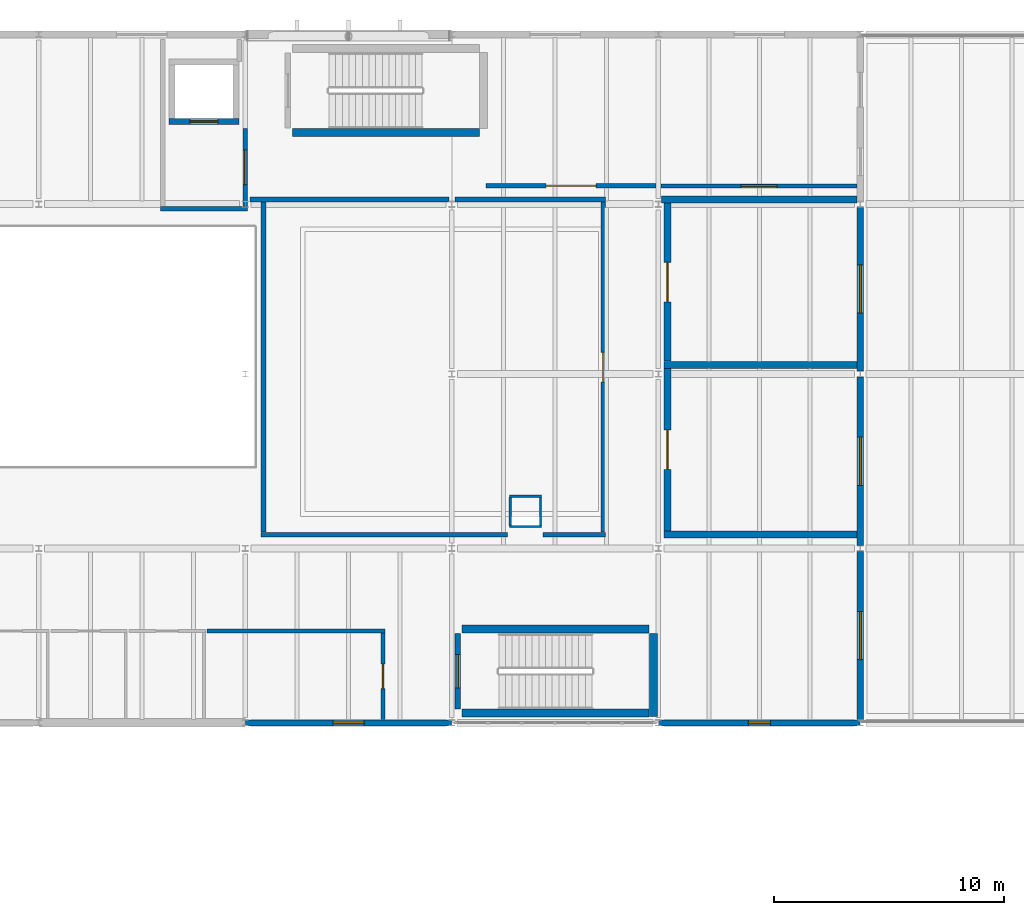
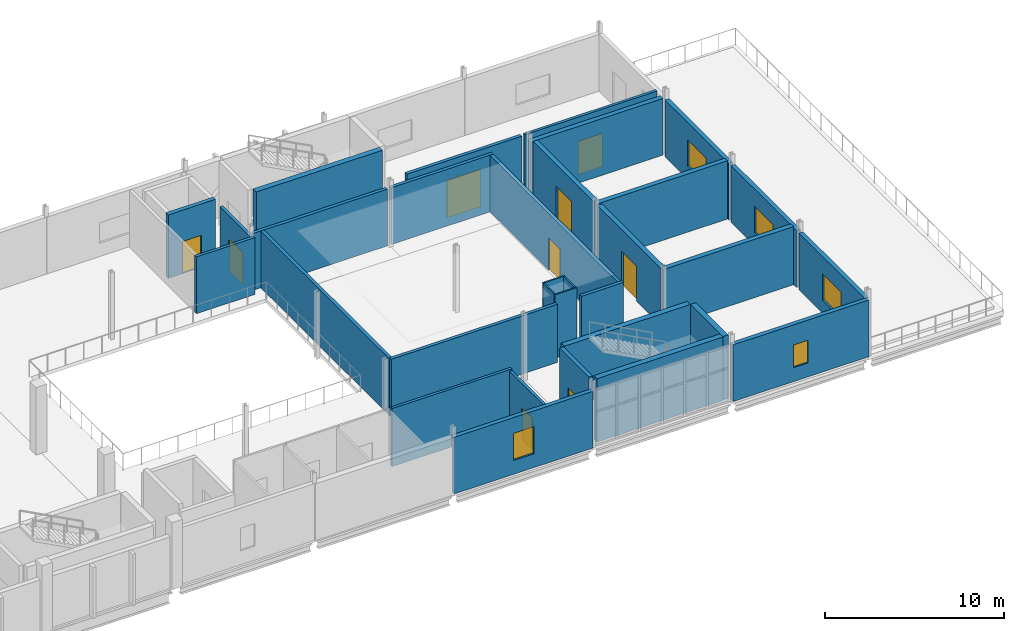
# One storey, part 31 of 37: 32 walls, 9 doors, 5 windows, 14 openings.
"""IFC4 building model written with IfcOpenShell, lengths in metres."""

from ifc_helpers import new_model, si_unit, direction, frame, frame_2d, origin, place, context, subcontext, project, spatial, rectangle, extrude, material, layer, layer_set, type_object, element, fill, save


model = new_model("IFC4")

# Units and contexts
model_context = context("Model", 3, precision=1e-05, world=origin(), true_north=direction((0.0, 1.0)))
body_context = subcontext(model_context, "Body", "Model", "MODEL_VIEW")
ifc_project = project(units=[si_unit("LENGTHUNIT", "METRE"), si_unit("AREAUNIT", "SQUARE_METRE"), si_unit("VOLUMEUNIT", "CUBIC_METRE"), si_unit("PLANEANGLEUNIT", "RADIAN"), si_unit("MASSUNIT", "GRAM", prefix="KILO")], contexts=[model_context])

# Site, building, storey
site_placement = place(None, origin())
site = spatial("IfcSite", under=ifc_project, at=site_placement, CompositionType="ELEMENT")
building_placement = place(site_placement, origin())
building = spatial("IfcBuilding", under=site, at=building_placement, Name="Shengluoqiao Park Theatre", CompositionType="ELEMENT")
storey_placement = place(building_placement, frame((0.0, 0.0, 19.199951171875)))
storey = spatial("IfcBuildingStorey", under=building, at=storey_placement, Name="L04", CompositionType="ELEMENT", Elevation=19.199951171875)

# Wall, opening, window
ifc_material_1 = material(Name="Concrete C40", Category="concrete")
ifc_layer_1 = layer(ifc_material_1, 0.27001953125, Name="Concrete C40")
ifc_layer_set_1 = layer_set([ifc_layer_1], Name="Concrete C40")
wall_type_1 = type_object("IfcWallType", Name="ENV-WL-CONC270", PredefinedType="STANDARD", material=ifc_layer_set_1)
wall_1_placement = place(storey_placement, frame((130.409912109375, 84.0, 0.0), z_axis=(0.0, 0.0, 1.0), x_axis=(1.0, 0.0, 0.0)))
wall_1 = element("IfcWall", 1, at=wall_1_placement, inside=storey, type_object=wall_type_1, Name="L04 Exterior Wall 0258", PredefinedType="STANDARD", context=body_context, shape_type="SweptSolid", body=[
    extrude(rectangle(XDim=8.97998046875, YDim=0.27001953125, at=frame_2d((4.489990234375, 0.0))), origin(), (0.0, 0.0, 1.0), 3.8779296875),
])
opening_1_placement = place(wall_1_placement, frame((3.81494140625, 0.0, 0.949951171875)))
opening_1 = element("IfcOpeningElement", 2, at=opening_1_placement, cuts=wall_1, Name="Opening W-17", PredefinedType="OPENING", context=body_context, shape_type="SweptSolid", body=[
    extrude(rectangle(XDim=1.35009765625, YDim=1.85009765625, at=frame_2d((0.675048828125, 0.925048828125))), frame((0.0, 0.14501953125, 0.0), z_axis=(0.0, -1.0, 0.0), x_axis=(1.0, 0.0, 0.0)), (0.0, 0.0, 1.0), 0.2900390625),
])
ifc_material_2 = material(Name="Insulated glass", Category="glass")
window_type_1 = type_object("IfcWindowType", Name="ENV-WIN-W17", PartitioningType="SINGLE_PANEL", PredefinedType="WINDOW", material=ifc_material_2)
window_1_placement = place(opening_1_placement, origin())
window_1 = element("IfcWindow", 3, at=window_1_placement, inside=storey, type_object=window_type_1, Name="L04 Acoustic Window 0098", OverallHeight=1.85009765625, OverallWidth=1.35009765625, PartitioningType="SINGLE_PANEL", PredefinedType="WINDOW", context=body_context, shape_type="SweptSolid", body=[
    extrude(rectangle(XDim=1.35009765625, YDim=1.85009765625, at=frame_2d((0.675048828125, 0.925048828125))), frame((0.0, 0.030029296875, 0.0), z_axis=(0.0, -1.0, 0.0), x_axis=(1.0, 0.0, 0.0)), (0.0, 0.0, 1.0), 0.06005859375),
])
fill(opening_1, window_1)

wall_2_placement = place(storey_placement, frame((148.409912109375, 84.0, 0.0), z_axis=(0.0, 0.0, 1.0), x_axis=(1.0, 0.0, 0.0)))
wall_2 = element("IfcWall", 4, at=wall_2_placement, inside=storey, type_object=wall_type_1, Name="L04 Exterior Wall 0259", PredefinedType="STANDARD", context=body_context, shape_type="SweptSolid", body=[
    extrude(rectangle(XDim=8.780029296875, YDim=0.27001953125, at=frame_2d((4.39013671875, 0.0))), origin(), (0.0, 0.0, 1.0), 3.8779296875),
])
opening_2_placement = place(wall_2_placement, frame((3.9150390625, 0.0, 0.949951171875)))
opening_2 = element("IfcOpeningElement", 5, at=opening_2_placement, cuts=wall_2, Name="Opening W-08", PredefinedType="OPENING", context=body_context, shape_type="SweptSolid", body=[
    extrude(rectangle(XDim=0.949951171875, YDim=1.550048828125, at=frame_2d((0.47509765625, 0.77490234375))), frame((0.0, 0.14501953125, 0.0), z_axis=(0.0, -1.0, 0.0), x_axis=(1.0, 0.0, 0.0)), (0.0, 0.0, 1.0), 0.2900390625),
])
window_type_2 = type_object("IfcWindowType", Name="ENV-WIN-W08", PartitioningType="SINGLE_PANEL", PredefinedType="WINDOW", material=ifc_material_2)
window_2_placement = place(opening_2_placement, origin())
window_2 = element("IfcWindow", 6, at=window_2_placement, inside=storey, type_object=window_type_2, Name="L04 Acoustic Window 0099", OverallHeight=1.550048828125, OverallWidth=0.949951171875, PartitioningType="SINGLE_PANEL", PredefinedType="WINDOW", context=body_context, shape_type="SweptSolid", body=[
    extrude(rectangle(XDim=0.949951171875, YDim=1.550048828125, at=frame_2d((0.47509765625, 0.77490234375))), frame((0.0, 0.030029296875, 0.0), z_axis=(0.0, -1.0, 0.0), x_axis=(1.0, 0.0, 0.0)), (0.0, 0.0, 1.0), 0.06005859375),
])
fill(opening_2, window_2)

wall_3_placement = place(storey_placement, frame((157.199951171875, 84.12890625, 0.0), z_axis=(0.0, 0.0, 1.0), x_axis=(0.0, 1.0, 0.0)))
wall_3 = element("IfcWall", 7, at=wall_3_placement, inside=storey, type_object=wall_type_1, Name="L04 Exterior Wall 0260", PredefinedType="STANDARD", context=body_context, shape_type="SweptSolid", body=[
    extrude(rectangle(XDim=7.342041015625, YDim=0.27001953125, at=frame_2d((3.6708984375, 0.0))), origin(), (0.0, 0.0, 1.0), 3.8779296875),
])
opening_3_placement = place(wall_3_placement, frame((2.62109375, 0.0, 0.89990234375)))
opening_3 = element("IfcOpeningElement", 8, at=opening_3_placement, cuts=wall_3, Name="Opening W-05", PredefinedType="OPENING", context=body_context, shape_type="SweptSolid", body=[
    extrude(rectangle(XDim=2.10009765625, YDim=1.800048828125, at=frame_2d((1.050048828125, 0.89990234375))), frame((0.0, 0.14501953125, 0.0), z_axis=(0.0, -1.0, 0.0), x_axis=(1.0, 0.0, 0.0)), (0.0, 0.0, 1.0), 0.2900390625),
])
window_type_3 = type_object("IfcWindowType", Name="ENV-WIN-W05", PartitioningType="DOUBLE_PANEL_VERTICAL", PredefinedType="WINDOW", material=ifc_material_2)
window_3_placement = place(opening_3_placement, origin())
window_3 = element("IfcWindow", 9, at=window_3_placement, inside=storey, type_object=window_type_3, Name="L04 Acoustic Window 0100", OverallHeight=1.800048828125, OverallWidth=2.10009765625, PartitioningType="DOUBLE_PANEL_VERTICAL", PredefinedType="WINDOW", context=body_context, shape_type="SweptSolid", body=[
    extrude(rectangle(XDim=2.10009765625, YDim=1.800048828125, at=frame_2d((1.050048828125, 0.89990234375))), frame((0.0, 0.030029296875, 0.0), z_axis=(0.0, -1.0, 0.0), x_axis=(1.0, 0.0, 0.0)), (0.0, 0.0, 1.0), 0.06005859375),
])
fill(opening_3, window_3)

wall_4_placement = place(storey_placement, frame((157.199951171875, 91.72900390625, 0.0), z_axis=(0.0, 0.0, 1.0), x_axis=(0.0, 1.0, 0.0)))
wall_4 = element("IfcWall", 10, at=wall_4_placement, inside=storey, type_object=wall_type_1, Name="L04 Exterior Wall 0261", PredefinedType="STANDARD", context=body_context, shape_type="SweptSolid", body=[
    extrude(rectangle(XDim=7.342041015625, YDim=0.27001953125, at=frame_2d((3.6708984375, 0.0))), origin(), (0.0, 0.0, 1.0), 3.8779296875),
])
opening_4_placement = place(wall_4_placement, frame((2.62109375, 0.0, 0.89990234375)))
opening_4 = element("IfcOpeningElement", 11, at=opening_4_placement, cuts=wall_4, Name="Opening W-05", PredefinedType="OPENING", context=body_context, shape_type="SweptSolid", body=[
    extrude(rectangle(XDim=2.10009765625, YDim=1.800048828125, at=frame_2d((1.050048828125, 0.89990234375))), frame((0.0, 0.14501953125, 0.0), z_axis=(0.0, -1.0, 0.0), x_axis=(1.0, 0.0, 0.0)), (0.0, 0.0, 1.0), 0.2900390625),
])
window_4_placement = place(opening_4_placement, origin())
window_4 = element("IfcWindow", 12, at=window_4_placement, inside=storey, type_object=window_type_3, Name="L04 Acoustic Window 0101", OverallHeight=1.800048828125, OverallWidth=2.10009765625, PartitioningType="DOUBLE_PANEL_VERTICAL", PredefinedType="WINDOW", context=body_context, shape_type="SweptSolid", body=[
    extrude(rectangle(XDim=2.10009765625, YDim=1.800048828125, at=frame_2d((1.050048828125, 0.89990234375))), frame((0.0, 0.030029296875, 0.0), z_axis=(0.0, -1.0, 0.0), x_axis=(1.0, 0.0, 0.0)), (0.0, 0.0, 1.0), 0.06005859375),
])
fill(opening_4, window_4)

wall_5_placement = place(storey_placement, frame((157.199951171875, 99.3291015625, 0.0), z_axis=(0.0, 0.0, 1.0), x_axis=(0.0, 1.0, 0.0)))
wall_5 = element("IfcWall", 13, at=wall_5_placement, inside=storey, type_object=wall_type_1, Name="L04 Exterior Wall 0262", PredefinedType="STANDARD", context=body_context, shape_type="SweptSolid", body=[
    extrude(rectangle(XDim=7.141845703125, YDim=0.27001953125, at=frame_2d((3.57080078125, 0.0))), origin(), (0.0, 0.0, 1.0), 3.8779296875),
])
opening_5_placement = place(wall_5_placement, frame((2.52099609375, 0.0, 0.89990234375)))
opening_5 = element("IfcOpeningElement", 14, at=opening_5_placement, cuts=wall_5, Name="Opening W-05", PredefinedType="OPENING", context=body_context, shape_type="SweptSolid", body=[
    extrude(rectangle(XDim=2.10009765625, YDim=1.800048828125, at=frame_2d((1.050048828125, 0.89990234375))), frame((0.0, 0.14501953125, 0.0), z_axis=(0.0, -1.0, 0.0), x_axis=(1.0, 0.0, 0.0)), (0.0, 0.0, 1.0), 0.2900390625),
])
window_5_placement = place(opening_5_placement, origin())
window_5 = element("IfcWindow", 15, at=window_5_placement, inside=storey, type_object=window_type_3, Name="L04 Acoustic Window 0102", OverallHeight=1.800048828125, OverallWidth=2.10009765625, PartitioningType="DOUBLE_PANEL_VERTICAL", PredefinedType="WINDOW", context=body_context, shape_type="SweptSolid", body=[
    extrude(rectangle(XDim=2.10009765625, YDim=1.800048828125, at=frame_2d((1.050048828125, 0.89990234375))), frame((0.0, 0.030029296875, 0.0), z_axis=(0.0, -1.0, 0.0), x_axis=(1.0, 0.0, 0.0)), (0.0, 0.0, 1.0), 0.06005859375),
])
fill(opening_5, window_5)

# Walls
ifc_material_3 = material(Name="Gypsum acoustic stud", Category="gypsum")
ifc_layer_2 = layer(ifc_material_3, 0.300048828125, Name="Gypsum acoustic stud")
ifc_layer_set_2 = layer_set([ifc_layer_2], Name="Gypsum acoustic stud")
wall_type_2 = type_object("IfcWallType", Name="INT-WL-ACO300", PredefinedType="PARTITIONING", material=ifc_layer_set_2)
for number, where, z_axis, x_axis, name in (
    (16, (148.64990234375, 92.199951171875, 0.0), (0.0, 0.0, 1.0), (1.0, 0.0, 0.0), "Soloist Practice Studio 01 Partition S"),
    (17, (148.64990234375, 99.60009765625, 0.0), (0.0, 0.0, 1.0), (1.0, 0.0, 0.0), "Soloist Practice Studio 01 Partition N"),
):
    element("IfcWall", number, at=place(storey_placement, frame(where, z_axis=z_axis, x_axis=x_axis)), inside=storey, type_object=wall_type_2, Name=name, PredefinedType="PARTITIONING", context=body_context, shape_type="SweptSolid", body=[
        extrude(rectangle(XDim=8.406982421875, YDim=0.300048828125, at=frame_2d((4.20361328125, 0.0))), origin(), (0.0, 0.0, 1.0), 3.97802734375),
    ])

# Wall, opening, door
wall_6_placement = place(storey_placement, frame((148.800048828125, 92.35595703125, 0.0), z_axis=(0.0, 0.0, 1.0), x_axis=(0.0, 1.0, 0.0)))
wall_6 = element("IfcWall", 18, at=wall_6_placement, inside=storey, type_object=wall_type_2, Name="Soloist Practice Studio 01 Partition W", PredefinedType="PARTITIONING", context=body_context, shape_type="SweptSolid", body=[
    extrude(rectangle(XDim=7.088134765625, YDim=0.300048828125, at=frame_2d((3.5439453125, 0.0))), origin(), (0.0, 0.0, 1.0), 3.8779296875),
])
opening_6_placement = place(wall_6_placement, frame((2.68408203125, 0.0, 0.0)))
opening_6 = element("IfcOpeningElement", 19, at=opening_6_placement, cuts=wall_6, Name="Opening D-L04-097", PredefinedType="OPENING", context=body_context, shape_type="SweptSolid", body=[
    extrude(rectangle(XDim=1.719970703125, YDim=2.3798828125, at=frame_2d((0.85986328125, 1.18994140625))), frame((0.0, 0.159912109375, 0.0), z_axis=(0.0, -1.0, 0.0), x_axis=(1.0, 0.0, 0.0)), (0.0, 0.0, 1.0), 0.320068359375),
])
ifc_material_4 = material(Name="Acoustic timber", Category="wood")
door_type_1 = type_object("IfcDoorType", Name="INT-DR-REH172", OperationType="DOUBLE_DOOR_SINGLE_SWING", PredefinedType="DOOR", material=ifc_material_4)
door_1_placement = place(opening_6_placement, origin())
door_1 = element("IfcDoor", 20, at=door_1_placement, inside=storey, type_object=door_type_1, Name="Soloist Practice Studio 01 Door D-L04-097", OperationType="DOUBLE_DOOR_SINGLE_SWING", OverallHeight=2.3798828125, OverallWidth=1.719970703125, PredefinedType="DOOR", context=body_context, shape_type="SweptSolid", body=[
    extrude(rectangle(XDim=1.719970703125, YDim=2.3798828125, at=frame_2d((0.85986328125, 1.18994140625))), frame((0.0, 0.02490234375, 0.0), z_axis=(0.0, -1.0, 0.0), x_axis=(1.0, 0.0, 0.0)), (0.0, 0.0, 1.0), 0.050048828125),
])
fill(opening_6, door_1)

# Wall
wall_7_placement = place(storey_placement, frame((148.535400390625, 106.800048828125, 0.0), z_axis=(0.0, 0.0, 1.0), x_axis=(1.0, 0.0, 0.0)))
element("IfcWall", 21, at=wall_7_placement, inside=storey, type_object=wall_type_2, Name="Soloist Practice Studio 02 Partition N", PredefinedType="PARTITIONING", context=body_context, shape_type="SweptSolid", body=[
    extrude(rectangle(XDim=8.521484375, YDim=0.300048828125, at=frame_2d((4.2607421875, 0.0))), origin(), (0.0, 0.0, 1.0), 3.8779296875),
])

# Wall, opening, door
wall_8_placement = place(storey_placement, frame((148.800048828125, 99.758056640625, 0.0), z_axis=(0.0, 0.0, 1.0), x_axis=(0.0, 1.0, 0.0)))
wall_8 = element("IfcWall", 22, at=wall_8_placement, inside=storey, type_object=wall_type_2, Name="Soloist Practice Studio 02 Partition W", PredefinedType="PARTITIONING", context=body_context, shape_type="SweptSolid", body=[
    extrude(rectangle(XDim=6.885986328125, YDim=0.300048828125, at=frame_2d((3.44287109375, 0.0))), origin(), (0.0, 0.0, 1.0), 3.8779296875),
])
opening_7_placement = place(wall_8_placement, frame((2.5830078125, 0.0, 0.0)))
opening_7 = element("IfcOpeningElement", 23, at=opening_7_placement, cuts=wall_8, Name="Opening D-L04-098", PredefinedType="OPENING", context=body_context, shape_type="SweptSolid", body=[
    extrude(rectangle(XDim=1.719970703125, YDim=2.3798828125, at=frame_2d((0.85986328125, 1.18994140625))), frame((0.0, 0.159912109375, 0.0), z_axis=(0.0, -1.0, 0.0), x_axis=(1.0, 0.0, 0.0)), (0.0, 0.0, 1.0), 0.320068359375),
])
door_2_placement = place(opening_7_placement, origin())
door_2 = element("IfcDoor", 24, at=door_2_placement, inside=storey, type_object=door_type_1, Name="Soloist Practice Studio 02 Door D-L04-098", OperationType="DOUBLE_DOOR_SINGLE_SWING", OverallHeight=2.3798828125, OverallWidth=1.719970703125, PredefinedType="DOOR", context=body_context, shape_type="SweptSolid", body=[
    extrude(rectangle(XDim=1.719970703125, YDim=2.3798828125, at=frame_2d((0.85986328125, 1.18994140625))), frame((0.0, 0.02490234375, 0.0), z_axis=(0.0, -1.0, 0.0), x_axis=(1.0, 0.0, 0.0)), (0.0, 0.0, 1.0), 0.050048828125),
])
fill(opening_7, door_2)

# Walls
ifc_material_5 = material(Name="Concrete blockwork B06", Category="masonry")
ifc_layer_3 = layer(ifc_material_5, 0.2099609375, Name="Concrete blockwork B06")
ifc_layer_set_3 = layer_set([ifc_layer_3], Name="Concrete blockwork B06")
wall_type_3 = type_object("IfcWallType", Name="INT-WL-CMP210", PredefinedType="PARTITIONING", material=ifc_layer_set_3)
wall_9_placement = place(storey_placement, frame((131.094970703125, 92.199951171875, 0.0), z_axis=(0.0, 0.0, 1.0), x_axis=(1.0, 0.0, 0.0)))
element("IfcWall", 25, at=wall_9_placement, inside=storey, type_object=wall_type_3, Name="Sheet Music Archive Partition S", PredefinedType="PARTITIONING", context=body_context, shape_type="SweptSolid", body=[
    extrude(rectangle(XDim=10.742431640625, YDim=0.2099609375, at=frame_2d((5.37109375, 0.0))), origin(), (0.0, 0.0, 1.0), 3.968017578125),
])
wall_10_placement = place(storey_placement, frame((143.382568359375, 92.199951171875, 0.0), z_axis=(0.0, 0.0, 1.0), x_axis=(1.0, 0.0, 0.0)))
element("IfcWall", 26, at=wall_10_placement, inside=storey, type_object=wall_type_3, Name="Sheet Music Archive Partition S", PredefinedType="PARTITIONING", context=body_context, shape_type="SweptSolid", body=[
    extrude(rectangle(XDim=2.722412109375, YDim=0.2099609375, at=frame_2d((1.361328125, 0.0))), origin(), (0.0, 0.0, 1.0), 3.968017578125),
])
wall_11_placement = place(storey_placement, frame((139.533447265625, 106.800048828125, 0.0), z_axis=(0.0, 0.0, 1.0), x_axis=(1.0, 0.0, 0.0)))
element("IfcWall", 27, at=wall_11_placement, inside=storey, type_object=wall_type_3, Name="Sheet Music Archive Partition N", PredefinedType="PARTITIONING", context=body_context, shape_type="SweptSolid", body=[
    extrude(rectangle(XDim=6.571533203125, YDim=0.2099609375, at=frame_2d((3.28564453125, 0.0))), origin(), (0.0, 0.0, 1.0), 3.8779296875),
])
wall_12_placement = place(storey_placement, frame((130.607421875, 106.800048828125, 0.0), z_axis=(0.0, 0.0, 1.0), x_axis=(1.0, 0.0, 0.0)))
element("IfcWall", 28, at=wall_12_placement, inside=storey, type_object=wall_type_3, Name="Sheet Music Archive Partition N", PredefinedType="PARTITIONING", context=body_context, shape_type="SweptSolid", body=[
    extrude(rectangle(XDim=8.6591796875, YDim=0.2099609375, at=frame_2d((4.32958984375, 0.0))), origin(), (0.0, 0.0, 1.0), 3.8779296875),
])

# Wall, opening, door
wall_13_placement = place(storey_placement, frame((146.0, 92.31103515625, 0.0), z_axis=(0.0, 0.0, 1.0), x_axis=(0.0, 1.0, 0.0)))
wall_13 = element("IfcWall", 29, at=wall_13_placement, inside=storey, type_object=wall_type_3, Name="Sheet Music Archive Partition E", PredefinedType="PARTITIONING", context=body_context, shape_type="SweptSolid", body=[
    extrude(rectangle(XDim=14.3779296875, YDim=0.2099609375, at=frame_2d((7.18896484375, 0.0))), origin(), (0.0, 0.0, 1.0), 3.8779296875),
])
opening_8_placement = place(wall_13_placement, frame((6.549072265625, 0.0, 0.0)))
opening_8 = element("IfcOpeningElement", 30, at=opening_8_placement, cuts=wall_13, Name="Opening D-L04-095", PredefinedType="OPENING", context=body_context, shape_type="SweptSolid", body=[
    extrude(rectangle(XDim=1.280029296875, YDim=2.219970703125, at=frame_2d((0.64013671875, 1.10986328125))), frame((0.0, 0.114990234375, 0.0), z_axis=(0.0, -1.0, 0.0), x_axis=(1.0, 0.0, 0.0)), (0.0, 0.0, 1.0), 0.22998046875),
])
ifc_material_6 = material(Name="Steel Q355", Category="steel")
door_type_2 = type_object("IfcDoorType", Name="INT-DR-ARC128", OperationType="NOTDEFINED", PredefinedType="DOOR", material=ifc_material_6)
door_3_placement = place(opening_8_placement, origin())
door_3 = element("IfcDoor", 31, at=door_3_placement, inside=storey, type_object=door_type_2, Name="Sheet Music Archive Door D-L04-095", OperationType="SINGLE_SWING_RIGHT", OverallHeight=2.219970703125, OverallWidth=1.280029296875, PredefinedType="DOOR", context=body_context, shape_type="SweptSolid", body=[
    extrude(rectangle(XDim=1.280029296875, YDim=2.219970703125, at=frame_2d((0.64013671875, 1.10986328125))), frame((0.0, 0.02490234375, 0.0), z_axis=(0.0, -1.0, 0.0), x_axis=(1.0, 0.0, 0.0)), (0.0, 0.0, 1.0), 0.050048828125),
])
fill(opening_8, door_3)

# Wall
wall_14_placement = place(storey_placement, frame((131.199951171875, 92.31103515625, 0.0), z_axis=(0.0, 0.0, 1.0), x_axis=(0.0, 1.0, 0.0)))
element("IfcWall", 32, at=wall_14_placement, inside=storey, type_object=wall_type_3, Name="Sheet Music Archive Partition W", PredefinedType="PARTITIONING", context=body_context, shape_type="SweptSolid", body=[
    extrude(rectangle(XDim=14.3779296875, YDim=0.2099609375, at=frame_2d((7.18896484375, 0.0))), origin(), (0.0, 0.0, 1.0), 3.8779296875),
])

# Wall, opening, door
wall_15_placement = place(storey_placement, frame((140.89501953125, 107.39990234375, 0.0), z_axis=(0.0, 0.0, 1.0), x_axis=(1.0, 0.0, 0.0)))
wall_15 = element("IfcWall", 33, at=wall_15_placement, inside=storey, type_object=wall_type_3, Name="String Instrument Luthiery Workshop Partition S", PredefinedType="PARTITIONING", context=body_context, shape_type="SweptSolid", body=[
    extrude(rectangle(XDim=7.409912109375, YDim=0.2099609375, at=frame_2d((3.705078125, 0.0))), origin(), (0.0, 0.0, 1.0), 3.968017578125),
])
opening_9_placement = place(wall_15_placement, frame((2.614990234375, 0.0, 0.0)))
opening_9 = element("IfcOpeningElement", 34, at=opening_9_placement, cuts=wall_15, Name="Opening D-L04-099", PredefinedType="OPENING", context=body_context, shape_type="SweptSolid", body=[
    extrude(rectangle(XDim=2.179931640625, YDim=2.580078125, at=frame_2d((1.08984375, 1.2900390625))), frame((0.0, 0.114990234375, 0.0), z_axis=(0.0, -1.0, 0.0), x_axis=(1.0, 0.0, 0.0)), (0.0, 0.0, 1.0), 0.22998046875),
])
door_type_3 = type_object("IfcDoorType", Name="INT-DR-WKS218", OperationType="DOUBLE_DOOR_SINGLE_SWING", PredefinedType="DOOR", material=ifc_material_6)
door_4_placement = place(opening_9_placement, origin())
door_4 = element("IfcDoor", 35, at=door_4_placement, inside=storey, type_object=door_type_3, Name="String Instrument Luthiery Workshop Door D-L04-099", OperationType="DOUBLE_DOOR_SINGLE_SWING", OverallHeight=2.580078125, OverallWidth=2.179931640625, PredefinedType="DOOR", context=body_context, shape_type="SweptSolid", body=[
    extrude(rectangle(XDim=2.179931640625, YDim=2.580078125, at=frame_2d((1.08984375, 1.2900390625))), frame((0.0, 0.02490234375, 0.0), z_axis=(0.0, -1.0, 0.0), x_axis=(1.0, 0.0, 0.0)), (0.0, 0.0, 1.0), 0.050048828125),
])
fill(opening_9, door_4)

# Wall
ifc_layer_4 = layer(ifc_material_3, 0.175048828125, Name="Gypsum acoustic stud")
ifc_layer_set_4 = layer_set([ifc_layer_4], Name="Gypsum acoustic stud")
wall_type_4 = type_object("IfcWallType", Name="INT-WL-COR175", PredefinedType="PARTITIONING", material=ifc_layer_set_4)
wall_16_placement = place(storey_placement, frame((128.735107421875, 88.0, 0.0), z_axis=(0.0, 0.0, 1.0), x_axis=(1.0, 0.0, 0.0)))
element("IfcWall", 36, at=wall_16_placement, inside=storey, type_object=wall_type_4, Name="Electro-Acoustic Mastering Studio Partition N", PredefinedType="PARTITIONING", context=body_context, shape_type="SweptSolid", body=[
    extrude(rectangle(XDim=7.75244140625, YDim=0.175048828125, at=frame_2d((3.876220703125, 0.0))), origin(), (0.0, 0.0, 1.0), 3.968017578125),
])

# Wall, opening, door
wall_17_placement = place(storey_placement, frame((136.39990234375, 84.14306640625, 0.0), z_axis=(0.0, 0.0, 1.0), x_axis=(0.0, 1.0, 0.0)))
wall_17 = element("IfcWall", 37, at=wall_17_placement, inside=storey, type_object=wall_type_4, Name="Electro-Acoustic Mastering Studio Partition E", PredefinedType="PARTITIONING", context=body_context, shape_type="SweptSolid", body=[
    extrude(rectangle(XDim=3.763427734375, YDim=0.175048828125, at=frame_2d((1.8818359375, 0.0))), origin(), (0.0, 0.0, 1.0), 3.8779296875),
])
opening_10_placement = place(wall_17_placement, frame((1.351806640625, 0.0, 0.0)))
opening_10 = element("IfcOpeningElement", 38, at=opening_10_placement, cuts=wall_17, Name="Opening D-L04-096", PredefinedType="OPENING", context=body_context, shape_type="SweptSolid", body=[
    extrude(rectangle(XDim=1.06005859375, YDim=2.14990234375, at=frame_2d((0.530029296875, 1.074951171875))), frame((0.0, 0.097412109375, 0.0), z_axis=(0.0, -1.0, 0.0), x_axis=(1.0, 0.0, 0.0)), (0.0, 0.0, 1.0), 0.195068359375),
])
door_type_4 = type_object("IfcDoorType", Name="INT-DR-SNG106", OperationType="NOTDEFINED", PredefinedType="DOOR", material=ifc_material_4)
door_5_placement = place(opening_10_placement, origin())
door_5 = element("IfcDoor", 39, at=door_5_placement, inside=storey, type_object=door_type_4, Name="Electro-Acoustic Mastering Studio Door D-L04-096", OperationType="SINGLE_SWING_LEFT", OverallHeight=2.14990234375, OverallWidth=1.06005859375, PredefinedType="DOOR", context=body_context, shape_type="SweptSolid", body=[
    extrude(rectangle(XDim=1.06005859375, YDim=2.14990234375, at=frame_2d((0.530029296875, 1.074951171875))), frame((0.0, 0.02490234375, 0.0), z_axis=(0.0, -1.0, 0.0), x_axis=(1.0, 0.0, 0.0)), (0.0, 0.0, 1.0), 0.050048828125),
])
fill(opening_10, door_5)

wall_18_placement = place(storey_placement, frame((148.512451171875, 107.39990234375, 0.0), z_axis=(0.0, 0.0, 1.0), x_axis=(1.0, 0.0, 0.0)))
wall_18 = element("IfcWall", 40, at=wall_18_placement, inside=storey, type_object=wall_type_4, Name="Artists East Conservatory Salon Partition S", PredefinedType="PARTITIONING", context=body_context, shape_type="SweptSolid", body=[
    extrude(rectangle(XDim=8.54443359375, YDim=0.175048828125, at=frame_2d((4.272216796875, 0.0))), origin(), (0.0, 0.0, 1.0), 3.97802734375),
])
opening_11_placement = place(wall_18_placement, frame((3.482177734375, 0.0, 0.0)))
opening_11 = element("IfcOpeningElement", 41, at=opening_11_placement, cuts=wall_18, Name="Opening D-L04-100", PredefinedType="OPENING", context=body_context, shape_type="SweptSolid", body=[
    extrude(rectangle(XDim=1.580078125, YDim=2.280029296875, at=frame_2d((0.7900390625, 1.14013671875))), frame((0.0, 0.097412109375, 0.0), z_axis=(0.0, -1.0, 0.0), x_axis=(1.0, 0.0, 0.0)), (0.0, 0.0, 1.0), 0.195068359375),
])
ifc_material_7 = material(Name="Aluminium 6063-T6", Category="aluminium")
door_type_5 = type_object("IfcDoorType", Name="INT-DR-FOY158", OperationType="DOUBLE_DOOR_SINGLE_SWING", PredefinedType="DOOR", material=ifc_material_7)
door_6_placement = place(opening_11_placement, origin())
door_6 = element("IfcDoor", 42, at=door_6_placement, inside=storey, type_object=door_type_5, Name="Artists East Conservatory Salon Door D-L04-100", OperationType="DOUBLE_DOOR_SINGLE_SWING", OverallHeight=2.280029296875, OverallWidth=1.580078125, PredefinedType="DOOR", context=body_context, shape_type="SweptSolid", body=[
    extrude(rectangle(XDim=1.580078125, YDim=2.280029296875, at=frame_2d((0.7900390625, 1.14013671875))), frame((0.0, 0.02490234375, 0.0), z_axis=(0.0, -1.0, 0.0), x_axis=(1.0, 0.0, 0.0)), (0.0, 0.0, 1.0), 0.050048828125),
])
fill(opening_11, door_6)

# Wall
ifc_layer_5 = layer(ifc_material_5, 0.195068359375, Name="Concrete blockwork B06")
ifc_layer_set_5 = layer_set([ifc_layer_5], Name="Concrete blockwork B06")
wall_type_5 = type_object("IfcWallType", Name="INT-WL-FFL195", PredefinedType="PARTITIONING", material=ifc_layer_set_5)
wall_19_placement = place(storey_placement, frame((126.7099609375, 106.39990234375, 0.0), z_axis=(0.0, 0.0, 1.0), x_axis=(1.0, 0.0, 0.0)))
element("IfcWall", 43, at=wall_19_placement, inside=storey, type_object=wall_type_5, Name="L04 Firefighting Lift Lobby FF2 Fire Wall S", PredefinedType="PARTITIONING", context=body_context, shape_type="SweptSolid", body=[
    extrude(rectangle(XDim=3.780029296875, YDim=0.195068359375, at=frame_2d((1.89013671875, 0.0))), origin(), (0.0, 0.0, 1.0), 3.8779296875),
])

# Wall, opening, door
wall_20_placement = place(storey_placement, frame((130.39990234375, 106.5048828125, 0.0), z_axis=(0.0, 0.0, 1.0), x_axis=(0.0, 1.0, 0.0)))
wall_20 = element("IfcWall", 44, at=wall_20_placement, inside=storey, type_object=wall_type_5, Name="L04 Firefighting Lift Lobby FF2 Fire Wall E", PredefinedType="PARTITIONING", context=body_context, shape_type="SweptSolid", body=[
    extrude(rectangle(XDim=3.39013671875, YDim=0.195068359375, at=frame_2d((1.695068359375, 0.0))), origin(), (0.0, 0.0, 1.0), 3.8779296875),
])
opening_12_placement = place(wall_20_placement, frame((0.945068359375, 0.0, 0.0)))
opening_12 = element("IfcOpeningElement", 45, at=opening_12_placement, cuts=wall_20, Name="Opening FD-FFL-2-L04", PredefinedType="OPENING", context=body_context, shape_type="SweptSolid", body=[
    extrude(rectangle(XDim=1.5, YDim=2.199951171875, at=frame_2d((0.75, 1.10009765625))), frame((0.0, 0.107421875, 0.0), z_axis=(0.0, -1.0, 0.0), x_axis=(1.0, 0.0, 0.0)), (0.0, 0.0, 1.0), 0.215087890625),
])
door_type_6 = type_object("IfcDoorType", Name="INT-DR-FFL150", OperationType="DOUBLE_DOOR_SINGLE_SWING", PredefinedType="DOOR", material=ifc_material_6)
door_7_placement = place(opening_12_placement, origin())
door_7 = element("IfcDoor", 46, at=door_7_placement, inside=storey, type_object=door_type_6, Name="L04 Firefighting Lift Lobby FF2 Fire Door FD-FFL-2-L04", OperationType="DOUBLE_DOOR_SINGLE_SWING", OverallHeight=2.199951171875, OverallWidth=1.5, PredefinedType="DOOR", context=body_context, shape_type="SweptSolid", body=[
    extrude(rectangle(XDim=1.5, YDim=2.199951171875, at=frame_2d((0.75, 1.10009765625))), frame((0.0, 0.02490234375, 0.0), z_axis=(0.0, -1.0, 0.0), x_axis=(1.0, 0.0, 0.0)), (0.0, 0.0, 1.0), 0.050048828125),
])
fill(opening_12, door_7)

# Walls
ifc_material_8 = material(Name="Gypsum shaftwall", Category="gypsum")
ifc_layer_6 = layer(ifc_material_8, 0.094970703125, Name="Gypsum shaftwall")
ifc_layer_set_6 = layer_set([ifc_layer_6], Name="Gypsum shaftwall")
wall_type_6 = type_object("IfcWallType", Name="INT-WL-RSR095", PredefinedType="PARTITIONING", material=ifc_layer_set_6)
for number, where, z_axis, x_axis, name in (
    (47, (141.905029296875, 92.550048828125, 0.0), (0.0, 0.0, 1.0), (1.0, 0.0, 0.0), "L04 Service Riser Shaftwall 177"),
    (48, (141.905029296875, 93.8701171875, 0.0), (0.0, 0.0, 1.0), (1.0, 0.0, 0.0), "L04 Service Riser Shaftwall 178"),
):
    element("IfcWall", number, at=place(storey_placement, frame(where, z_axis=z_axis, x_axis=x_axis)), inside=storey, type_object=wall_type_6, Name=name, PredefinedType="PARTITIONING", context=body_context, shape_type="SweptSolid", body=[
        extrude(rectangle(XDim=1.409912109375, YDim=0.094970703125, at=frame_2d((0.705078125, 0.0))), origin(), (0.0, 0.0, 1.0), 4.340087890625),
    ])
for number, where, z_axis, x_axis, name in (
    (49, (141.949951171875, 92.60498046875, 0.0), (0.0, 0.0, 1.0), (0.0, 1.0, 0.0), "L04 Service Riser Shaftwall 179"),
    (50, (143.27001953125, 92.60498046875, 0.0), (0.0, 0.0, 1.0), (0.0, 1.0, 0.0), "L04 Service Riser Shaftwall 180"),
):
    element("IfcWall", number, at=place(storey_placement, frame(where, z_axis=z_axis, x_axis=x_axis)), inside=storey, type_object=wall_type_6, Name=name, PredefinedType="PARTITIONING", context=body_context, shape_type="SweptSolid", body=[
        extrude(rectangle(XDim=1.2099609375, YDim=0.094970703125, at=frame_2d((0.60498046875, 0.0))), origin(), (0.0, 0.0, 1.0), 4.340087890625),
    ])

# Wall, opening, door
ifc_layer_7 = layer(ifc_material_1, 0.260009765625, Name="Concrete C40")
ifc_layer_set_7 = layer_set([ifc_layer_7], Name="Concrete C40")
wall_type_7 = type_object("IfcWallType", Name="INT-WL-SHF260", PredefinedType="STANDARD", material=ifc_layer_set_7)
wall_21_placement = place(storey_placement, frame((127.070068359375, 110.199951171875, 0.0), z_axis=(0.0, 0.0, 1.0), x_axis=(1.0, 0.0, 0.0)))
wall_21 = element("IfcWall", 51, at=wall_21_placement, inside=storey, type_object=wall_type_7, Name="L04 FF2 Lift Shaft Wall South", PredefinedType="STANDARD", context=body_context, shape_type="SweptSolid", body=[
    extrude(rectangle(XDim=3.059814453125, YDim=0.260009765625, at=frame_2d((1.52978515625, 0.0))), origin(), (0.0, 0.0, 1.0), 4.340087890625),
])
opening_13_placement = place(wall_21_placement, frame((0.919921875, 0.0, 0.0)))
opening_13 = element("IfcOpeningElement", 52, at=opening_13_placement, cuts=wall_21, Name="Opening LD-FF2-L04", PredefinedType="OPENING", context=body_context, shape_type="SweptSolid", body=[
    extrude(rectangle(XDim=1.219970703125, YDim=2.199951171875, at=frame_2d((0.60986328125, 1.10009765625))), frame((0.0, 0.139892578125, 0.0), z_axis=(0.0, -1.0, 0.0), x_axis=(1.0, 0.0, 0.0)), (0.0, 0.0, 1.0), 0.280029296875),
])
ifc_material_9 = material(Name="Stainless steel 304", Category="steel")
door_type_7 = type_object("IfcDoorType", Name="INT-DR-LD122", OperationType="SLIDING_TO_RIGHT", PredefinedType="DOOR", material=ifc_material_9)
door_8_placement = place(opening_13_placement, origin())
door_8 = element("IfcDoor", 53, at=door_8_placement, inside=storey, type_object=door_type_7, Name="FF2 Lift Landing Door LD-FF2-L04", OperationType="SLIDING_TO_RIGHT", OverallHeight=2.199951171875, OverallWidth=1.219970703125, PredefinedType="DOOR", context=body_context, shape_type="SweptSolid", body=[
    extrude(rectangle(XDim=1.219970703125, YDim=2.199951171875, at=frame_2d((0.60986328125, 1.10009765625))), frame((0.0, 0.02490234375, 0.0), z_axis=(0.0, -1.0, 0.0), x_axis=(1.0, 0.0, 0.0)), (0.0, 0.0, 1.0), 0.050048828125),
])
fill(opening_13, door_8)

ifc_layer_8 = layer(ifc_material_1, 0.239990234375, Name="Concrete C40")
ifc_layer_set_8 = layer_set([ifc_layer_8], Name="Concrete C40")
wall_type_8 = type_object("IfcWallType", Name="INT-WL-STW240", PredefinedType="STANDARD", material=ifc_layer_set_8)
wall_22_placement = place(storey_placement, frame((139.659912109375, 84.610107421875, 0.0), z_axis=(0.0, 0.0, 1.0), x_axis=(0.0, 1.0, 0.0)))
wall_22 = element("IfcWall", 54, at=wall_22_placement, inside=storey, type_object=wall_type_8, Name="L04 ST-10 Stairwell Fire Wall", PredefinedType="STANDARD", context=body_context, shape_type="SweptSolid", body=[
    extrude(rectangle(XDim=3.27978515625, YDim=0.239990234375, at=frame_2d((1.639892578125, 0.0))), origin(), (0.0, 0.0, 1.0), 4.340087890625),
])
opening_14_placement = place(wall_22_placement, frame((0.9150390625, 0.0, 0.0)))
opening_14 = element("IfcOpeningElement", 55, at=opening_14_placement, cuts=wall_22, Name="Opening SD-10-L04", PredefinedType="OPENING", context=body_context, shape_type="SweptSolid", body=[
    extrude(rectangle(XDim=1.449951171875, YDim=2.199951171875, at=frame_2d((0.72509765625, 1.10009765625))), frame((0.0, 0.1298828125, 0.0), z_axis=(0.0, -1.0, 0.0), x_axis=(1.0, 0.0, 0.0)), (0.0, 0.0, 1.0), 0.260009765625),
])
door_type_8 = type_object("IfcDoorType", Name="INT-DR-STW145", OperationType="DOUBLE_DOOR_SINGLE_SWING", PredefinedType="DOOR", material=ifc_material_6)
door_9_placement = place(opening_14_placement, origin())
door_9 = element("IfcDoor", 56, at=door_9_placement, inside=storey, type_object=door_type_8, Name="L04 ST-10 Escape Stair Door SD-10-L04", OperationType="DOUBLE_DOOR_SINGLE_SWING", OverallHeight=2.199951171875, OverallWidth=1.449951171875, PredefinedType="DOOR", context=body_context, shape_type="SweptSolid", body=[
    extrude(rectangle(XDim=1.449951171875, YDim=2.199951171875, at=frame_2d((0.72509765625, 1.10009765625))), frame((0.0, 0.02490234375, 0.0), z_axis=(0.0, -1.0, 0.0), x_axis=(1.0, 0.0, 0.0)), (0.0, 0.0, 1.0), 0.050048828125),
])
fill(opening_14, door_9)

# Walls
ifc_material_10 = material(Name="Concrete C50", Category="concrete")
ifc_layer_9 = layer(ifc_material_10, 0.35009765625, Name="Concrete C50")
ifc_layer_set_9 = layer_set([ifc_layer_9], Name="Concrete C50")
wall_type_9 = type_object("IfcWallType", Name="STR-SW-CORE350", PredefinedType="SHEAR", material=ifc_layer_set_9)
wall_23_placement = place(storey_placement, frame((132.449951171875, 109.719970703125, 0.0), z_axis=(0.0, 0.0, 1.0), x_axis=(1.0, 0.0, 0.0)))
element("IfcWall", 57, at=wall_23_placement, inside=storey, type_object=wall_type_9, Name="L04 ST-06 Core Left Shear Wall 0121", PredefinedType="SHEAR", context=body_context, shape_type="SweptSolid", body=[
    extrude(rectangle(XDim=8.150146484375, YDim=0.35009765625, at=frame_2d((4.0751953125, 0.0))), origin(), (0.0, 0.0, 1.0), 4.340087890625),
])
wall_24_placement = place(storey_placement, frame((139.85009765625, 84.419921875, 0.0), z_axis=(0.0, 0.0, 1.0), x_axis=(1.0, 0.0, 0.0)))
element("IfcWall", 58, at=wall_24_placement, inside=storey, type_object=wall_type_9, Name="L04 ST-10 Core Left Shear Wall 0142", PredefinedType="SHEAR", context=body_context, shape_type="SweptSolid", body=[
    extrude(rectangle(XDim=8.14990234375, YDim=0.35009765625, at=frame_2d((4.074951171875, 0.0))), origin(), (0.0, 0.0, 1.0), 4.340087890625),
])
wall_25_placement = place(storey_placement, frame((148.179931640625, 84.280029296875, 0.0), z_axis=(0.0, 0.0, 1.0), x_axis=(0.0, 1.0, 0.0)))
element("IfcWall", 59, at=wall_25_placement, inside=storey, type_object=wall_type_9, Name="L04 ST-10 Core Far Shear Wall 0143", PredefinedType="SHEAR", context=body_context, shape_type="SweptSolid", body=[
    extrude(rectangle(XDim=3.619873046875, YDim=0.35009765625, at=frame_2d((1.81005859375, 0.0))), origin(), (0.0, 0.0, 1.0), 4.340087890625),
])
wall_26_placement = place(storey_placement, frame((148.0, 88.080078125, 0.0), z_axis=(0.0, 0.0, 1.0), x_axis=(-1.0, 0.0, 0.0)))
element("IfcWall", 60, at=wall_26_placement, inside=storey, type_object=wall_type_9, Name="L04 ST-10 Core Right Shear Wall 0144", PredefinedType="SHEAR", context=body_context, shape_type="SweptSolid", body=[
    extrude(rectangle(XDim=8.14990234375, YDim=0.35009765625, at=frame_2d((4.074951171875, 0.0))), origin(), (0.0, 0.0, 1.0), 4.340087890625),
])

save(model, "model.ifc")
